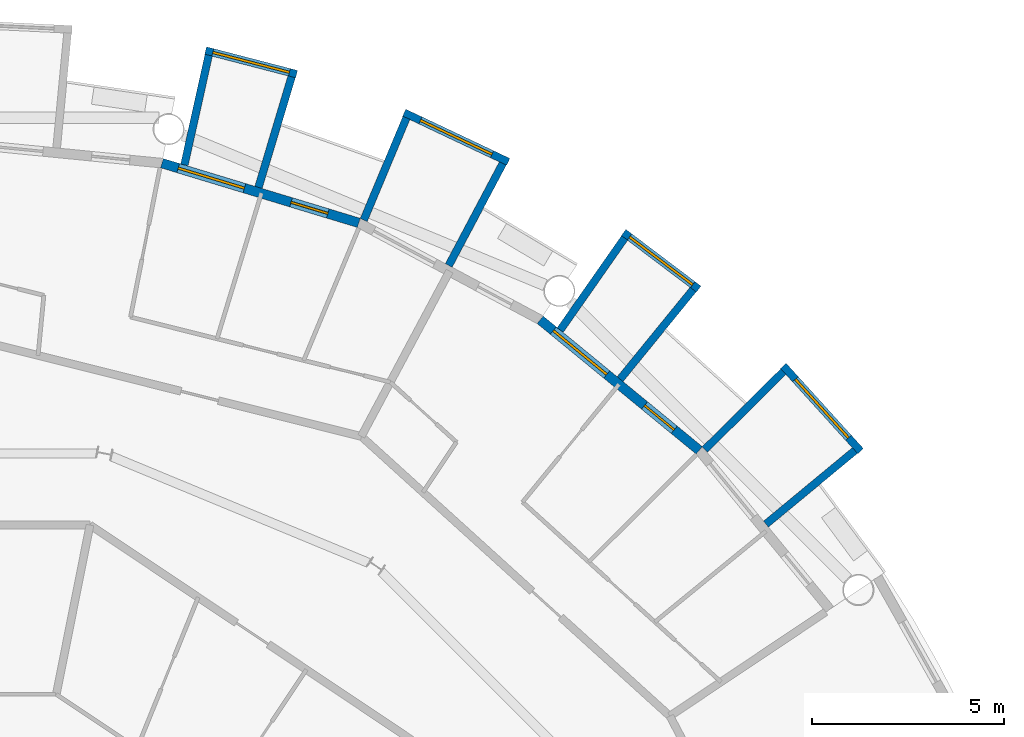
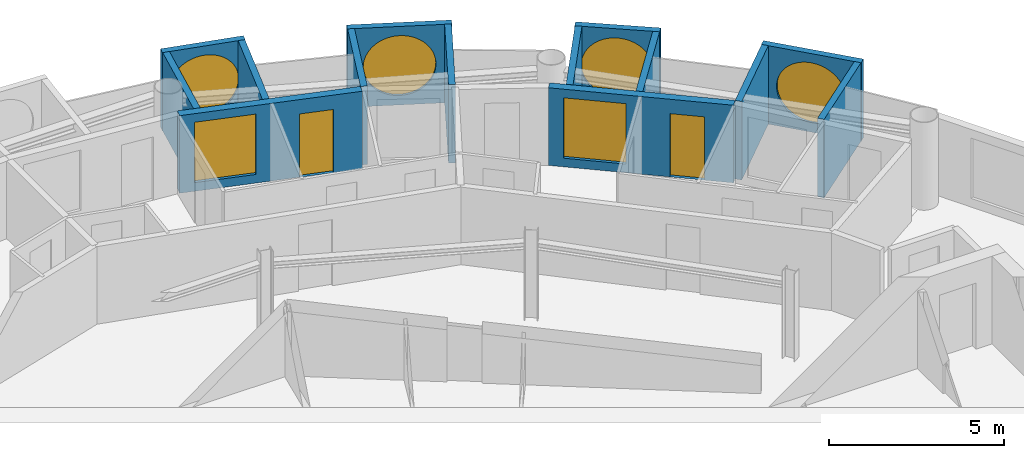
# One storey, part 24 of 28: 14 walls, 6 windows, 2 doors, 8 openings.
"""IFC4 building model written with IfcOpenShell, lengths in metres."""

from ifc_helpers import new_model, si_unit, direction, frame, frame_2d, origin, place, context, subcontext, project, spatial, rectangle, circle, extrude, material, layer, layer_set, type_object, element, fill, save


model = new_model("IFC4")

# Units and contexts
model_context = context("Model", 3, precision=1e-05, world=origin(), true_north=direction((0.0, 1.0)))
body_context = subcontext(model_context, "Body", "Model", "MODEL_VIEW")
ifc_project = project(units=[si_unit("LENGTHUNIT", "METRE"), si_unit("AREAUNIT", "SQUARE_METRE"), si_unit("VOLUMEUNIT", "CUBIC_METRE"), si_unit("PLANEANGLEUNIT", "RADIAN"), si_unit("MASSUNIT", "GRAM", prefix="KILO")], contexts=[model_context])

# Site, building, storey
site_placement = place(None, origin())
site = spatial("IfcSite", under=ifc_project, at=site_placement, CompositionType="ELEMENT")
building_placement = place(site_placement, origin())
building = spatial("IfcBuilding", under=site, at=building_placement, Name="Maasbend Ring Residences", CompositionType="ELEMENT")
storey_placement = place(building_placement, frame((0.0, 0.0, 196.300048828125)))
storey = spatial("IfcBuildingStorey", under=building, at=storey_placement, Name="L56", CompositionType="ELEMENT", Elevation=196.300048828125)

# Wall, opening, window
ifc_material_1 = material(Name="Pale anodised aluminium panel", Category="aluminium")
ifc_layer_1 = layer(ifc_material_1, 0.199951171875)
ifc_layer_set_1 = layer_set([ifc_layer_1], Name="EW-BOX")
wall_type_1 = type_object("IfcWallType", Name="EW-BOX", PredefinedType="SOLIDWALL", material=ifc_layer_set_1)
wall_1_placement = place(storey_placement, frame((23.5029296875, 19.281982421875, -0.030029296875), z_axis=(0.0, 0.0, 1.0), x_axis=(-0.671506829416, 0.740998365753, 0.0)))
wall_1 = element("IfcWall", 1, at=wall_1_placement, inside=storey, type_object=wall_type_1, Name="Box front N02", PredefinedType="SOLIDWALL", context=body_context, shape_type="SweptSolid", body=[
    extrude(rectangle(XDim=2.9931640625, YDim=0.199951171875, at=frame_2d((1.49658203125, 0.0))), origin(), (0.0, 0.0, 1.0), 2.72998046875),
])
opening_1_placement = place(wall_1_placement, frame((0.45654296875, 0.0, 0.330078125)))
opening_1 = element("IfcOpeningElement", 2, at=opening_1_placement, cuts=wall_1, Name="Opening W-RD", PredefinedType="OPENING", context=body_context, shape_type="SweptSolid", body=[
    extrude(circle(Radius=1.0400390625, at=frame_2d((1.0400390625, 1.0400390625))), frame((0.0, 0.10986328125, 0.0), z_axis=(0.0, -1.0, 0.0), x_axis=(1.0, 0.0, 0.0)), (0.0, 0.0, 1.0), 0.219970703125),
])
ifc_material_2 = material(Name="Aluminium and clear glass", Category="aluminium")
window_type_1 = type_object("IfcWindowType", Name="W-RD", PartitioningType="SINGLE_PANEL", PredefinedType="WINDOW", material=ifc_material_2)
window_1_placement = place(opening_1_placement, origin())
window_1 = element("IfcWindow", 3, at=window_1_placement, inside=storey, type_object=window_type_1, Name="Round window N02", OverallHeight=2.080078125, OverallWidth=2.080078125, PartitioningType="SINGLE_PANEL", PredefinedType="WINDOW", context=body_context, shape_type="SweptSolid", body=[
    extrude(circle(Radius=1.0400390625, at=frame_2d((1.0400390625, 1.0400390625))), frame((0.0, 0.030029296875, 0.0), z_axis=(0.0, -1.0, 0.0), x_axis=(1.0, 0.0, 0.0)), (0.0, 0.0, 1.0), 0.06005859375),
])
fill(opening_1, window_1)

# Walls
wall_2_placement = place(storey_placement, frame((21.041015625, 17.384033203125, -0.030029296875), z_axis=(0.0, 0.0, 1.0), x_axis=(0.770784861449, 0.63709551667, 0.0)))
element("IfcWall", 4, at=wall_2_placement, inside=storey, type_object=wall_type_1, Name="Box side wall N02 left", PredefinedType="SOLIDWALL", context=body_context, shape_type="SweptSolid", body=[
    extrude(rectangle(XDim=3.005859375, YDim=0.199951171875, at=frame_2d((1.5029296875, 0.0))), origin(), (0.0, 0.0, 1.0), 2.72998046875),
])
wall_3_placement = place(storey_placement, frame((19.449951171875, 19.322998046875, -0.030029296875), z_axis=(0.0, 0.0, 1.0), x_axis=(0.709727076896, 0.704476739375, 0.0)))
element("IfcWall", 5, at=wall_3_placement, inside=storey, type_object=wall_type_1, Name="Box side wall N02 right", PredefinedType="SOLIDWALL", context=body_context, shape_type="SweptSolid", body=[
    extrude(rectangle(XDim=2.883056640625, YDim=0.199951171875, at=frame_2d((1.44140625, 0.0))), origin(), (0.0, 0.0, 1.0), 2.72998046875),
])

# Wall, opening, window
wall_4_placement = place(storey_placement, frame((19.2890625, 23.4970703125, -0.030029296875), z_axis=(0.0, 0.0, 1.0), x_axis=(-0.797887588059, 0.602806268067, 0.0)))
wall_4 = element("IfcWall", 6, at=wall_4_placement, inside=storey, type_object=wall_type_1, Name="Box front N04", PredefinedType="SOLIDWALL", context=body_context, shape_type="SweptSolid", body=[
    extrude(rectangle(XDim=2.446533203125, YDim=0.199951171875, at=frame_2d((1.22314453125, 0.0))), origin(), (0.0, 0.0, 1.0), 2.72998046875),
])
opening_2_placement = place(wall_4_placement, frame((0.182861328125, 0.0, 0.330078125)))
opening_2 = element("IfcOpeningElement", 7, at=opening_2_placement, cuts=wall_4, Name="Opening W-RD", PredefinedType="OPENING", context=body_context, shape_type="SweptSolid", body=[
    extrude(circle(Radius=1.0400390625, at=frame_2d((1.0400390625, 1.0400390625))), frame((0.0, 0.10986328125, 0.0), z_axis=(0.0, -1.0, 0.0), x_axis=(1.0, 0.0, 0.0)), (0.0, 0.0, 1.0), 0.219970703125),
])
window_2_placement = place(opening_2_placement, origin())
window_2 = element("IfcWindow", 8, at=window_2_placement, inside=storey, type_object=window_type_1, Name="Round window N04", OverallHeight=2.080078125, OverallWidth=2.080078125, PartitioningType="SINGLE_PANEL", PredefinedType="WINDOW", context=body_context, shape_type="SweptSolid", body=[
    extrude(circle(Radius=1.0400390625, at=frame_2d((1.0400390625, 1.0400390625))), frame((0.0, 0.030029296875, 0.0), z_axis=(0.0, -1.0, 0.0), x_axis=(1.0, 0.0, 0.0)), (0.0, 0.0, 1.0), 0.06005859375),
])
fill(opening_2, window_2)

# Walls
wall_5_placement = place(storey_placement, frame((17.24609375, 21.155029296875, -0.030029296875), z_axis=(0.0, 0.0, 1.0), x_axis=(0.631741648902, 0.775179004516, 0.0)))
element("IfcWall", 9, at=wall_5_placement, inside=storey, type_object=wall_type_1, Name="Box side wall N04 left", PredefinedType="SOLIDWALL", context=body_context, shape_type="SweptSolid", body=[
    extrude(rectangle(XDim=3.005859375, YDim=0.199951171875, at=frame_2d((1.5029296875, 0.0))), origin(), (0.0, 0.0, 1.0), 2.72998046875),
])
wall_6_placement = place(storey_placement, frame((15.68798828125, 22.43310546875, -0.030029296875), z_axis=(0.0, 0.0, 1.0), x_axis=(0.573260687834, 0.819373043115, 0.0)))
element("IfcWall", 10, at=wall_6_placement, inside=storey, type_object=wall_type_1, Name="Box side wall N04 right", PredefinedType="SOLIDWALL", context=body_context, shape_type="SweptSolid", body=[
    extrude(rectangle(XDim=2.92529296875, YDim=0.199951171875, at=frame_2d((1.462646484375, 0.0))), origin(), (0.0, 0.0, 1.0), 2.72998046875),
])

# Wall, opening, window
wall_7_placement = place(storey_placement, frame((14.3349609375, 26.80810546875, -0.030029296875), z_axis=(0.0, 0.0, 1.0), x_axis=(-0.904000060331, 0.427532327342, 0.0)))
wall_7 = element("IfcWall", 11, at=wall_7_placement, inside=storey, type_object=wall_type_1, Name="Box front N06", PredefinedType="SOLIDWALL", context=body_context, shape_type="SweptSolid", body=[
    extrude(rectangle(XDim=2.993408203125, YDim=0.199951171875, at=frame_2d((1.49658203125, 0.0))), origin(), (0.0, 0.0, 1.0), 2.72998046875),
])
opening_3_placement = place(wall_7_placement, frame((0.45654296875, 0.0, 0.330078125)))
opening_3 = element("IfcOpeningElement", 12, at=opening_3_placement, cuts=wall_7, Name="Opening W-RD", PredefinedType="OPENING", context=body_context, shape_type="SweptSolid", body=[
    extrude(circle(Radius=1.0400390625, at=frame_2d((1.0400390625, 1.0400390625))), frame((0.0, 0.10986328125, 0.0), z_axis=(0.0, -1.0, 0.0), x_axis=(1.0, 0.0, 0.0)), (0.0, 0.0, 1.0), 0.219970703125),
])
window_3_placement = place(opening_3_placement, origin())
window_3 = element("IfcWindow", 13, at=window_3_placement, inside=storey, type_object=window_type_1, Name="Round window N06", OverallHeight=2.080078125, OverallWidth=2.080078125, PartitioningType="SINGLE_PANEL", PredefinedType="WINDOW", context=body_context, shape_type="SweptSolid", body=[
    extrude(circle(Radius=1.0400390625, at=frame_2d((1.0400390625, 1.0400390625))), frame((0.0, 0.030029296875, 0.0), z_axis=(0.0, -1.0, 0.0), x_axis=(1.0, 0.0, 0.0)), (0.0, 0.0, 1.0), 0.06005859375),
])
fill(opening_3, window_3)

# Walls
wall_8_placement = place(storey_placement, frame((12.787109375, 24.113037109375, -0.030029296875), z_axis=(0.0, 0.0, 1.0), x_axis=(0.468365282436, 0.883534924159, 0.0)))
element("IfcWall", 14, at=wall_8_placement, inside=storey, type_object=wall_type_1, Name="Box side wall N06 left", PredefinedType="SOLIDWALL", context=body_context, shape_type="SweptSolid", body=[
    extrude(rectangle(XDim=3.006103515625, YDim=0.199951171875, at=frame_2d((1.5029296875, 0.0))), origin(), (0.0, 0.0, 1.0), 2.72998046875),
])
wall_9_placement = place(storey_placement, frame((10.574951171875, 25.294921875, -0.030029296875), z_axis=(0.0, 0.0, 1.0), x_axis=(0.385697364644, 0.922625353492, 0.0)))
element("IfcWall", 15, at=wall_9_placement, inside=storey, type_object=wall_type_1, Name="Box side wall N06 right", PredefinedType="SOLIDWALL", context=body_context, shape_type="SweptSolid", body=[
    extrude(rectangle(XDim=2.88330078125, YDim=0.199951171875, at=frame_2d((1.441650390625, 0.0))), origin(), (0.0, 0.0, 1.0), 2.72998046875),
])

# Wall, opening, window
wall_10_placement = place(storey_placement, frame((8.8291015625, 29.090087890625, -0.030029296875), z_axis=(0.0, 0.0, 1.0), x_axis=(-0.96789536872, 0.251353446784, 0.0)))
wall_10 = element("IfcWall", 16, at=wall_10_placement, inside=storey, type_object=wall_type_1, Name="Box front N08", PredefinedType="SOLIDWALL", context=body_context, shape_type="SweptSolid", body=[
    extrude(rectangle(XDim=2.44677734375, YDim=0.199951171875, at=frame_2d((1.223388671875, 0.0))), origin(), (0.0, 0.0, 1.0), 2.72998046875),
])
opening_4_placement = place(wall_10_placement, frame((0.182861328125, 0.0, 0.330078125)))
opening_4 = element("IfcOpeningElement", 17, at=opening_4_placement, cuts=wall_10, Name="Opening W-RD", PredefinedType="OPENING", context=body_context, shape_type="SweptSolid", body=[
    extrude(circle(Radius=1.0400390625, at=frame_2d((1.0400390625, 1.0400390625))), frame((0.0, 0.10986328125, 0.0), z_axis=(0.0, -1.0, 0.0), x_axis=(1.0, 0.0, 0.0)), (0.0, 0.0, 1.0), 0.219970703125),
])
window_4_placement = place(opening_4_placement, origin())
window_4 = element("IfcWindow", 18, at=window_4_placement, inside=storey, type_object=window_type_1, Name="Round window N08", OverallHeight=2.080078125, OverallWidth=2.080078125, PartitioningType="SINGLE_PANEL", PredefinedType="WINDOW", context=body_context, shape_type="SweptSolid", body=[
    extrude(circle(Radius=1.0400390625, at=frame_2d((1.0400390625, 1.0400390625))), frame((0.0, 0.030029296875, 0.0), z_axis=(0.0, -1.0, 0.0), x_axis=(1.0, 0.0, 0.0)), (0.0, 0.0, 1.0), 0.06005859375),
])
fill(opening_4, window_4)

# Walls
wall_11_placement = place(storey_placement, frame((7.8369140625, 26.14404296875, -0.030029296875), z_axis=(0.0, 0.0, 1.0), x_axis=(0.287064767992, 0.957911174889, 0.0)))
element("IfcWall", 19, at=wall_11_placement, inside=storey, type_object=wall_type_1, Name="Box side wall N08 left", PredefinedType="SOLIDWALL", context=body_context, shape_type="SweptSolid", body=[
    extrude(rectangle(XDim=3.00634765625, YDim=0.199951171875, at=frame_2d((1.503173828125, 0.0))), origin(), (0.0, 0.0, 1.0), 2.72998046875),
])
wall_12_placement = place(storey_placement, frame((5.908935546875, 26.72900390625, -0.030029296875), z_axis=(0.0, 0.0, 1.0), x_axis=(0.216409053917, 0.976302781612, 0.0)))
element("IfcWall", 20, at=wall_12_placement, inside=storey, type_object=wall_type_1, Name="Box side wall N08 right", PredefinedType="SOLIDWALL", context=body_context, shape_type="SweptSolid", body=[
    extrude(rectangle(XDim=2.92529296875, YDim=0.199951171875, at=frame_2d((1.462646484375, 0.0))), origin(), (0.0, 0.0, 1.0), 2.72998046875),
])

# Wall, openings, door, window
ifc_material_3 = material(Name="Aluminium clad insulated panel", Category="aluminium")
ifc_layer_2 = layer(ifc_material_3, 0.25)
ifc_layer_set_2 = layer_set([ifc_layer_2], Name="EW-GL")
wall_type_2 = type_object("IfcWallType", Name="EW-GL", PredefinedType="SOLIDWALL", material=ifc_layer_set_2)
wall_13_placement = place(storey_placement, frame((19.303955078125, 19.303955078125, 0.0), z_axis=(0.0, 0.0, 1.0), x_axis=(-0.773019449054, 0.634382322723, 0.0)))
wall_13 = element("IfcWall", 21, at=wall_13_placement, inside=storey, type_object=wall_type_2, Name="External wall N02", PredefinedType="SOLIDWALL", context=body_context, shape_type="SweptSolid", body=[
    extrude(rectangle(XDim=5.351806640625, YDim=0.25, at=frame_2d((2.67578125, 0.0))), origin(), (0.0, 0.0, 1.0), 2.699951171875),
])
opening_5_placement = place(wall_13_placement, frame((0.841064453125, 0.0, 0.0)))
opening_5 = element("IfcOpeningElement", 22, at=opening_5_placement, cuts=wall_13, Name="Opening D-LG", PredefinedType="OPENING", context=body_context, shape_type="SweptSolid", body=[
    extrude(rectangle(XDim=1.0, YDim=2.199951171875, at=frame_2d((0.5, 1.10009765625))), frame((0.0, 0.135009765625, 0.0), z_axis=(0.0, -1.0, 0.0), x_axis=(1.0, 0.0, 0.0)), (0.0, 0.0, 1.0), 0.27001953125),
])
opening_6_placement = place(wall_13_placement, frame((3.110595703125, 0.0, 0.300048828125)))
opening_6 = element("IfcOpeningElement", 23, at=opening_6_placement, cuts=wall_13, Name="Opening W-BX", PredefinedType="OPENING", context=body_context, shape_type="SweptSolid", body=[
    extrude(rectangle(XDim=1.800048828125, YDim=2.10009765625, at=frame_2d((0.89990234375, 1.050048828125))), frame((0.0, 0.135009765625, 0.0), z_axis=(0.0, -1.0, 0.0), x_axis=(1.0, 0.0, 0.0)), (0.0, 0.0, 1.0), 0.27001953125),
])
ifc_material_4 = material(Name="Aluminium and clear glass", Category="aluminium")
door_type = type_object("IfcDoorType", Name="D-LG", OperationType="SINGLE_SWING_LEFT", PredefinedType="DOOR", material=ifc_material_4)
door_1_placement = place(opening_5_placement, origin())
door_1 = element("IfcDoor", 24, at=door_1_placement, inside=storey, type_object=door_type, Name="Loggia door N03", OperationType="SINGLE_SWING_LEFT", OverallHeight=2.199951171875, OverallWidth=1.0, PredefinedType="DOOR", context=body_context, shape_type="SweptSolid", body=[
    extrude(rectangle(XDim=1.0, YDim=2.199951171875, at=frame_2d((0.5, 1.10009765625))), frame((0.0, 0.02490234375, 0.0), z_axis=(0.0, -1.0, 0.0), x_axis=(1.0, 0.0, 0.0)), (0.0, 0.0, 1.0), 0.050048828125),
])
fill(opening_5, door_1)
ifc_material_5 = material(Name="Aluminium and clear glass", Category="aluminium")
window_type_2 = type_object("IfcWindowType", Name="W-BX", PartitioningType="DOUBLE_PANEL_VERTICAL", PredefinedType="WINDOW", material=ifc_material_5)
window_5_placement = place(opening_6_placement, origin())
window_5 = element("IfcWindow", 25, at=window_5_placement, inside=storey, type_object=window_type_2, Name="Window N04 room to box", OverallHeight=2.10009765625, OverallWidth=1.800048828125, PartitioningType="SINGLE_PANEL", PredefinedType="WINDOW", context=body_context, shape_type="SweptSolid", body=[
    extrude(rectangle(XDim=1.800048828125, YDim=2.10009765625, at=frame_2d((0.89990234375, 1.050048828125))), frame((0.0, 0.030029296875, 0.0), z_axis=(0.0, -1.0, 0.0), x_axis=(1.0, 0.0, 0.0)), (0.0, 0.0, 1.0), 0.06005859375),
])
fill(opening_6, window_5)

wall_14_placement = place(storey_placement, frame((10.447021484375, 25.221923828125, 0.0), z_axis=(0.0, 0.0, 1.0), x_axis=(-0.956965678721, 0.290201119486, 0.0)))
wall_14 = element("IfcWall", 26, at=wall_14_placement, inside=storey, type_object=wall_type_2, Name="External wall N04", PredefinedType="SOLIDWALL", context=body_context, shape_type="SweptSolid", body=[
    extrude(rectangle(XDim=5.351318359375, YDim=0.25, at=frame_2d((2.67578125, 0.0))), origin(), (0.0, 0.0, 1.0), 2.699951171875),
])
opening_7_placement = place(wall_14_placement, frame((0.841064453125, 0.0, 0.0)))
opening_7 = element("IfcOpeningElement", 27, at=opening_7_placement, cuts=wall_14, Name="Opening D-LG", PredefinedType="OPENING", context=body_context, shape_type="SweptSolid", body=[
    extrude(rectangle(XDim=1.0, YDim=2.199951171875, at=frame_2d((0.5, 1.10009765625))), frame((0.0, 0.135009765625, 0.0), z_axis=(0.0, -1.0, 0.0), x_axis=(1.0, 0.0, 0.0)), (0.0, 0.0, 1.0), 0.27001953125),
])
opening_8_placement = place(wall_14_placement, frame((3.110595703125, 0.0, 0.300048828125)))
opening_8 = element("IfcOpeningElement", 28, at=opening_8_placement, cuts=wall_14, Name="Opening W-BX", PredefinedType="OPENING", context=body_context, shape_type="SweptSolid", body=[
    extrude(rectangle(XDim=1.800048828125, YDim=2.10009765625, at=frame_2d((0.89990234375, 1.050048828125))), frame((0.0, 0.135009765625, 0.0), z_axis=(0.0, -1.0, 0.0), x_axis=(1.0, 0.0, 0.0)), (0.0, 0.0, 1.0), 0.27001953125),
])
door_2_placement = place(opening_7_placement, origin())
door_2 = element("IfcDoor", 29, at=door_2_placement, inside=storey, type_object=door_type, Name="Loggia door N07", OperationType="SINGLE_SWING_LEFT", OverallHeight=2.199951171875, OverallWidth=1.0, PredefinedType="DOOR", context=body_context, shape_type="SweptSolid", body=[
    extrude(rectangle(XDim=1.0, YDim=2.199951171875, at=frame_2d((0.5, 1.10009765625))), frame((0.0, 0.02490234375, 0.0), z_axis=(0.0, -1.0, 0.0), x_axis=(1.0, 0.0, 0.0)), (0.0, 0.0, 1.0), 0.050048828125),
])
fill(opening_7, door_2)
window_6_placement = place(opening_8_placement, origin())
window_6 = element("IfcWindow", 30, at=window_6_placement, inside=storey, type_object=window_type_2, Name="Window N08 room to box", OverallHeight=2.10009765625, OverallWidth=1.800048828125, PartitioningType="SINGLE_PANEL", PredefinedType="WINDOW", context=body_context, shape_type="SweptSolid", body=[
    extrude(rectangle(XDim=1.800048828125, YDim=2.10009765625, at=frame_2d((0.89990234375, 1.050048828125))), frame((0.0, 0.030029296875, 0.0), z_axis=(0.0, -1.0, 0.0), x_axis=(1.0, 0.0, 0.0)), (0.0, 0.0, 1.0), 0.06005859375),
])
fill(opening_8, window_6)

save(model, "model.ifc")
